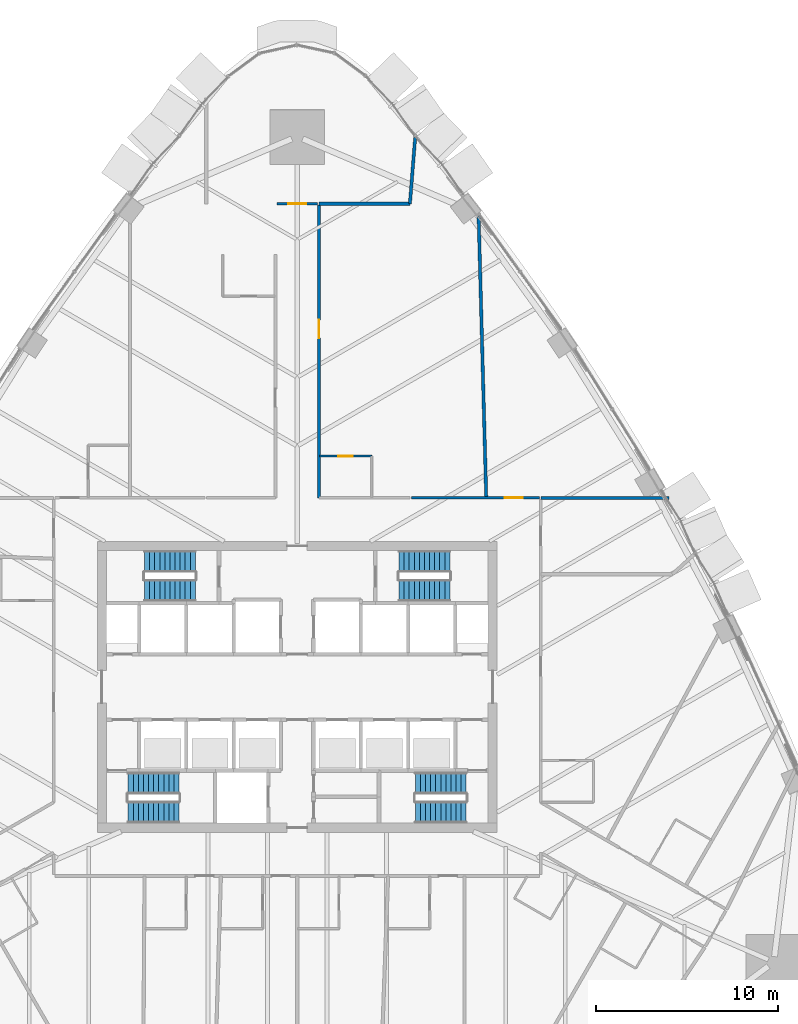
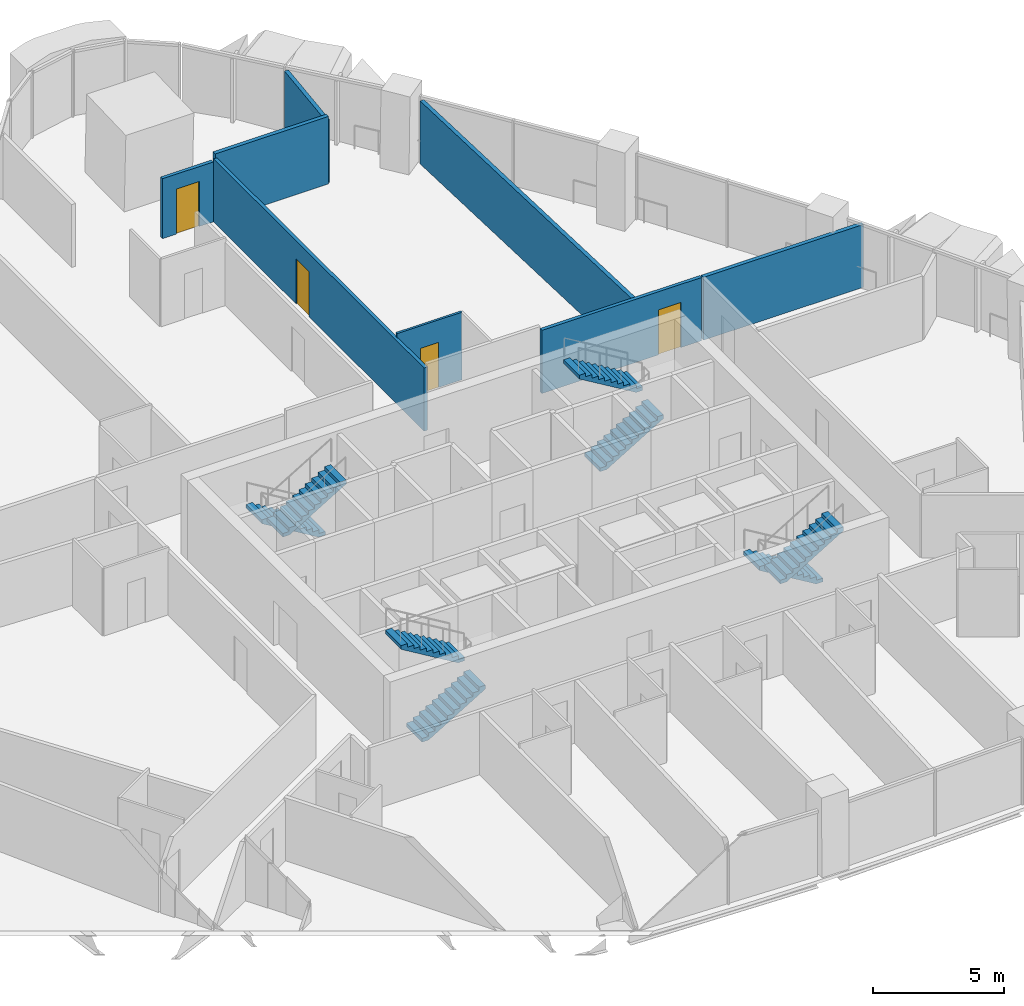
# One storey, part 14 of 18: 8 stair flights, 8 walls, 4 doors, 4 openings, 4 elements without a shape of their own.
"""IFC4 building model written with IfcOpenShell, lengths in metres."""

from ifc_helpers import new_model, si_unit, direction, frame, frame_2d, origin, place, context, subcontext, project, spatial, polyline, rectangle, outline, extrude, material, layer, layer_set, type_object, element, fill, aggregate, save


model = new_model("IFC4")

# Units and contexts
model_context = context("Model", 3, precision=1e-05, world=origin(), true_north=direction((0.0, 1.0)))
body_context = subcontext(model_context, "Body", "Model", "MODEL_VIEW")
ifc_project = project(units=[si_unit("LENGTHUNIT", "METRE"), si_unit("AREAUNIT", "SQUARE_METRE"), si_unit("VOLUMEUNIT", "CUBIC_METRE"), si_unit("PLANEANGLEUNIT", "RADIAN"), si_unit("MASSUNIT", "GRAM", prefix="KILO")], contexts=[model_context])

# Site, building, storey
site_placement = place(None, origin())
site = spatial("IfcSite", under=ifc_project, at=site_placement, CompositionType="ELEMENT")
building_placement = place(site_placement, origin())
building = spatial("IfcBuilding", under=site, at=building_placement, Name="Sierra Prisma Convention Tower", CompositionType="ELEMENT")
storey_placement = place(building_placement, frame((0.0, 0.0, 81.300048828125)))
storey = spatial("IfcBuildingStorey", under=building, at=storey_placement, Name="L16", CompositionType="ELEMENT", Elevation=81.300048828125)

# Wall, opening, door
ifc_material_1 = material(Name="Gypsum board partition", Category="gypsum")
ifc_layer_1 = layer(ifc_material_1, 0.10009765625)
ifc_layer_set_1 = layer_set([ifc_layer_1], Name="Bathroom partition 100")
wall_type_1 = type_object("IfcWallType", Name="Bathroom partition 100", PredefinedType="PARTITIONING", material=ifc_layer_set_1)
wall_1_placement = place(storey_placement, frame((1.22998046875, 12.699951171875, 0.0), z_axis=(0.0, 0.0, 1.0), x_axis=(1.0, 0.0, 0.0)))
wall_1 = element("IfcWall", 1, at=wall_1_placement, inside=storey, type_object=wall_type_1, Name="Partition L16 bath 19", PredefinedType="PARTITIONING", context=body_context, shape_type="SweptSolid", body=[
    extrude(rectangle(XDim=2.8701171875, YDim=0.10009765625, at=frame_2d((1.43505859375, 0.0))), origin(), (0.0, 0.0, 1.0), 3.14990234375),
])
opening_1_placement = place(wall_1_placement, frame((1.034912109375, 0.0, 0.0)))
opening_1 = element("IfcOpeningElement", 2, at=opening_1_placement, cuts=wall_1, Name="Opening L16-D002", PredefinedType="OPENING", context=body_context, shape_type="SweptSolid", body=[
    extrude(rectangle(XDim=0.800048828125, YDim=2.10009765625, at=frame_2d((0.39990234375, 1.050048828125))), frame((0.0, 0.050048828125, 0.0), z_axis=(0.0, -1.0, 0.0), x_axis=(1.0, 0.0, 0.0)), (0.0, 0.0, 1.0), 0.10009765625),
])
ifc_material_2 = material(Name="Solid core timber door leaf", Category="wood")
door_type_1 = type_object("IfcDoorType", Name="Door 800x2100 plain", OperationType="SINGLE_SWING_LEFT", PredefinedType="DOOR", material=ifc_material_2)
door_1_placement = place(opening_1_placement, origin())
door_1 = element("IfcDoor", 3, at=door_1_placement, inside=storey, type_object=door_type_1, Name="Door L16 6", OperationType="SINGLE_SWING_LEFT", OverallHeight=2.10009765625, OverallWidth=0.800048828125, PredefinedType="DOOR", context=body_context, shape_type="SweptSolid", body=[
    extrude(rectangle(XDim=0.800048828125, YDim=2.10009765625, at=frame_2d((0.39990234375, 1.050048828125))), frame((0.0, 0.02490234375, 0.0), z_axis=(0.0, -1.0, 0.0), x_axis=(1.0, 0.0, 0.0)), (0.0, 0.0, 1.0), 0.050048828125),
])
fill(opening_1, door_1)

ifc_material_3 = material(Name="Gypsum board partition", Category="gypsum")
ifc_layer_2 = layer(ifc_material_3, 0.14990234375)
ifc_layer_set_2 = layer_set([ifc_layer_2], Name="Corridor wall 150 gypsum EI 60")
wall_type_2 = type_object("IfcWallType", Name="Corridor wall 150 gypsum EI 60", PredefinedType="PARTITIONING", material=ifc_layer_set_2)
wall_2_placement = place(storey_placement, frame((1.1201171875, 26.58056640625, 0.0), z_axis=(0.0, 0.0, 1.0), x_axis=(-1.0, 0.0, 0.0)))
wall_2 = element("IfcWall", 4, at=wall_2_placement, inside=storey, type_object=wall_type_2, Name="Partition L16 corr 10", PredefinedType="PARTITIONING", context=body_context, shape_type="SweptSolid", body=[
    extrude(rectangle(XDim=2.240234375, YDim=0.14990234375, at=frame_2d((1.1201171875, 0.0))), origin(), (0.0, 0.0, 1.0), 2.796875),
])
opening_2_placement = place(wall_2_placement, frame((0.6201171875, 0.0, 0.0)))
opening_2 = element("IfcOpeningElement", 5, at=opening_2_placement, cuts=wall_2, Name="Opening L16-D041", PredefinedType="OPENING", context=body_context, shape_type="SweptSolid", body=[
    extrude(rectangle(XDim=1.0, YDim=2.10009765625, at=frame_2d((0.5, 1.050048828125))), frame((0.0, 0.074951171875, 0.0), z_axis=(0.0, -1.0, 0.0), x_axis=(1.0, 0.0, 0.0)), (0.0, 0.0, 1.0), 0.14990234375),
])
ifc_material_4 = material(Name="Steel fire door leaf", Category="steel")
door_type_2 = type_object("IfcDoorType", Name="Door 1000x2100 FD30S", OperationType="SINGLE_SWING_LEFT", PredefinedType="DOOR", material=ifc_material_4)
door_2_placement = place(opening_2_placement, origin())
door_2 = element("IfcDoor", 6, at=door_2_placement, inside=storey, type_object=door_type_2, Name="Door L16 7", OperationType="SINGLE_SWING_LEFT", OverallHeight=2.10009765625, OverallWidth=1.0, PredefinedType="DOOR", context=body_context, shape_type="SweptSolid", body=[
    extrude(rectangle(XDim=1.0, YDim=2.10009765625, at=frame_2d((0.5, 1.050048828125))), frame((0.0, 0.02490234375, 0.0), z_axis=(0.0, -1.0, 0.0), x_axis=(1.0, 0.0, 0.0)), (0.0, 0.0, 1.0), 0.050048828125),
])
fill(opening_2, door_2)

wall_3_placement = place(storey_placement, frame((1.199951171875, 10.39990234375, 0.0), z_axis=(0.0, 0.0, 1.0), x_axis=(0.0, 1.0, 0.0)))
wall_3 = element("IfcWall", 7, at=wall_3_placement, inside=storey, type_object=wall_type_2, Name="Partition L16 corr 12", PredefinedType="PARTITIONING", context=body_context, shape_type="SweptSolid", body=[
    extrude(rectangle(XDim=16.1005859375, YDim=0.14990234375, at=frame_2d((8.05029296875, 0.0))), origin(), (0.0, 0.0, 1.0), 2.947021484375),
])
opening_3_placement = place(wall_3_placement, frame((8.790283203125, 0.0, 0.0)))
opening_3 = element("IfcOpeningElement", 8, at=opening_3_placement, cuts=wall_3, Name="Opening L16-D040", PredefinedType="OPENING", context=body_context, shape_type="SweptSolid", body=[
    extrude(rectangle(XDim=1.0, YDim=2.10009765625, at=frame_2d((0.5, 1.050048828125))), frame((0.0, 0.074951171875, 0.0), z_axis=(0.0, -1.0, 0.0), x_axis=(1.0, 0.0, 0.0)), (0.0, 0.0, 1.0), 0.14990234375),
])
door_3_placement = place(opening_3_placement, origin())
door_3 = element("IfcDoor", 9, at=door_3_placement, inside=storey, type_object=door_type_2, Name="Door L16 5", OperationType="SINGLE_SWING_RIGHT", OverallHeight=2.10009765625, OverallWidth=1.0, PredefinedType="DOOR", context=body_context, shape_type="SweptSolid", body=[
    extrude(rectangle(XDim=1.0, YDim=2.10009765625, at=frame_2d((0.5, 1.050048828125))), frame((0.0, 0.02490234375, 0.0), z_axis=(0.0, -1.0, 0.0), x_axis=(1.0, 0.0, 0.0)), (0.0, 0.0, 1.0), 0.050048828125),
])
fill(opening_3, door_3)

wall_4_placement = place(storey_placement, frame((13.320068359375, 10.39990234375, 0.0), z_axis=(0.0, 0.0, 1.0), x_axis=(-1.0, 0.0, 0.0)))
wall_4 = element("IfcWall", 10, at=wall_4_placement, inside=storey, type_object=wall_type_2, Name="Partition L16 corr 13", PredefinedType="PARTITIONING", context=body_context, shape_type="SweptSolid", body=[
    extrude(rectangle(XDim=7.0400390625, YDim=0.14990234375, at=frame_2d((3.52001953125, 0.0))), origin(), (0.0, 0.0, 1.0), 2.947021484375),
])
opening_4_placement = place(wall_4_placement, frame((0.909912109375, 0.0, 0.0)))
opening_4 = element("IfcOpeningElement", 11, at=opening_4_placement, cuts=wall_4, Name="Opening L16-D039", PredefinedType="OPENING", context=body_context, shape_type="SweptSolid", body=[
    extrude(rectangle(XDim=1.0, YDim=2.10009765625, at=frame_2d((0.5, 1.050048828125))), frame((0.0, 0.074951171875, 0.0), z_axis=(0.0, -1.0, 0.0), x_axis=(1.0, 0.0, 0.0)), (0.0, 0.0, 1.0), 0.14990234375),
])
door_4_placement = place(opening_4_placement, origin())
door_4 = element("IfcDoor", 12, at=door_4_placement, inside=storey, type_object=door_type_2, Name="Door L16 4", OperationType="SINGLE_SWING_LEFT", OverallHeight=2.10009765625, OverallWidth=1.0, PredefinedType="DOOR", context=body_context, shape_type="SweptSolid", body=[
    extrude(rectangle(XDim=1.0, YDim=2.10009765625, at=frame_2d((0.5, 1.050048828125))), frame((0.0, 0.02490234375, 0.0), z_axis=(0.0, -1.0, 0.0), x_axis=(1.0, 0.0, 0.0)), (0.0, 0.0, 1.0), 0.050048828125),
])
fill(opening_4, door_4)

# Walls
ifc_material_5 = material(Name="Acoustic gypsum board partition", Category="gypsum")
ifc_layer_3 = layer(ifc_material_5, 0.175048828125)
ifc_layer_set_3 = layer_set([ifc_layer_3], Name="Guest room party wall 175 acoustic EI 60")
wall_type_3 = type_object("IfcWallType", Name="Guest room party wall 175 acoustic EI 60", PredefinedType="PARTITIONING", material=ifc_layer_set_3)
wall_5_placement = place(storey_placement, frame((1.199951171875, 26.58056640625, 0.0), z_axis=(0.0, 0.0, 1.0), x_axis=(1.0, 0.0, 0.0)))
element("IfcWall", 13, at=wall_5_placement, inside=storey, type_object=wall_type_3, Name="Partition L16 hparty 13", PredefinedType="PARTITIONING", context=body_context, shape_type="SweptSolid", body=[
    extrude(rectangle(XDim=5.0, YDim=0.175048828125, at=frame_2d((2.5, 0.0))), origin(), (0.0, 0.0, 1.0), 3.14990234375),
])
wall_6_placement = place(storey_placement, frame((6.199951171875, 26.58056640625, 0.0), z_axis=(0.0, 0.0, 1.0), x_axis=(0.079662809164, 0.996821868157, 0.0)))
element("IfcWall", 14, at=wall_6_placement, inside=storey, type_object=wall_type_3, Name="Partition L16 hparty 14", PredefinedType="PARTITIONING", context=body_context, shape_type="SweptSolid", body=[
    extrude(rectangle(XDim=3.650146484375, YDim=0.175048828125, at=frame_2d((1.8251953125, 0.0))), origin(), (0.0, 0.0, 1.0), 2.933837890625),
])
wall_7_placement = place(storey_placement, frame((9.9814453125, 25.9130859375, 0.0), z_axis=(0.0, 0.0, 1.0), x_axis=(0.02696447667, -0.999636392394, 0.0)))
element("IfcWall", 15, at=wall_7_placement, inside=storey, type_object=wall_type_3, Name="Partition L16 hparty 17", PredefinedType="PARTITIONING", context=body_context, shape_type="SweptSolid", body=[
    extrude(rectangle(XDim=15.518798828125, YDim=0.175048828125, at=frame_2d((7.75927734375, 0.0))), origin(), (0.0, 0.0, 1.0), 2.933837890625),
])
wall_8_placement = place(storey_placement, frame((13.39990234375, 10.39990234375, 0.0), z_axis=(0.0, 0.0, 1.0), x_axis=(1.0, 0.0, 0.0)))
element("IfcWall", 16, at=wall_8_placement, inside=storey, type_object=wall_type_3, Name="Partition L16 hparty 22", PredefinedType="PARTITIONING", context=body_context, shape_type="SweptSolid", body=[
    extrude(rectangle(XDim=7.0546875, YDim=0.175048828125, at=frame_2d((3.52734375, 0.0))), origin(), (0.0, 0.0, 1.0), 2.933837890625),
])

# Stair, stair flights
ifc_material_6 = material(Name="Concrete C30/37", Category="concrete")
stair_type = type_object("IfcStairType", Name="Stair dog-leg 1200 RC", PredefinedType="HALF_TURN_STAIR", material=ifc_material_6)
stair_1_placement = place(storey_placement, origin())
stair_1 = element("IfcStair", 17, at=stair_1_placement, inside=storey, type_object=stair_type, Name="L16 S1", PredefinedType="HALF_TURN_STAIR")
ifc_material_7 = material(Name="Concrete C30/37", Category="concrete")
stair_flight_type = type_object("IfcStairFlightType", Name="Stair flight RC 1200", PredefinedType="STRAIGHT", material=ifc_material_7)
stair_flight_1_placement = place(storey_placement, frame((-9.300048828125, -6.89990234375, 0.0), z_axis=(0.0, 0.0, 1.0), x_axis=(1.0, 0.0, 0.0)))
stair_flight_1 = element("IfcStairFlight", 18, at=stair_flight_1_placement, type_object=stair_flight_type, Name="S1 flight 1", NumberOfRisers=11, NumberOfTreads=10, PredefinedType="STRAIGHT", RiserHeight=0.168181818, TreadLength=0.28, context=body_context, shape_type="SweptSolid", body=[
    extrude(outline(polyline([(0.0, 0.0), (0.0, 0.168212890625), (0.280029296875, 0.168212890625), (0.280029296875, 0.33642578125), (0.56005859375, 0.33642578125), (0.56005859375, 0.504638671875), (0.840087890625, 0.504638671875), (0.840087890625, 0.672607421875), (1.1201171875, 0.672607421875), (1.1201171875, 0.8408203125), (1.39990234375, 0.8408203125), (1.39990234375, 1.009033203125), (1.679931640625, 1.009033203125), (1.679931640625, 1.17724609375), (1.9599609375, 1.17724609375), (1.9599609375, 1.345458984375), (2.239990234375, 1.345458984375), (2.239990234375, 1.513671875), (2.52001953125, 1.513671875), (2.52001953125, 1.681884765625), (2.800048828125, 1.681884765625), (2.800048828125, 1.85009765625), (2.800048828125, 1.5068359375), (0.291015625, 0.0), (0.0, 0.0)])), frame((0.0, 0.60009765625, 0.0), z_axis=(0.0, -1.0, 0.0), x_axis=(1.0, 0.0, 0.0)), (0.0, 0.0, 1.0), 1.199951171875),
])
stair_flight_2_placement = place(storey_placement, frame((-6.5, -5.300048828125, 1.849853515625), z_axis=(0.0, 0.0, 1.0), x_axis=(-1.0, 0.0, 0.0)))
stair_flight_2 = element("IfcStairFlight", 19, at=stair_flight_2_placement, type_object=stair_flight_type, Name="S1 flight 2", NumberOfRisers=11, NumberOfTreads=10, PredefinedType="STRAIGHT", RiserHeight=0.168181818, TreadLength=0.28, context=body_context, shape_type="SweptSolid", body=[
    extrude(outline(polyline([(0.0, 0.0), (0.0, 0.168212890625), (0.280029296875, 0.168212890625), (0.280029296875, 0.33642578125), (0.56005859375, 0.33642578125), (0.56005859375, 0.504638671875), (0.840087890625, 0.504638671875), (0.840087890625, 0.672607421875), (1.1201171875, 0.672607421875), (1.1201171875, 0.8408203125), (1.39990234375, 0.8408203125), (1.39990234375, 1.009033203125), (1.679931640625, 1.009033203125), (1.679931640625, 1.17724609375), (1.9599609375, 1.17724609375), (1.9599609375, 1.345458984375), (2.239990234375, 1.345458984375), (2.239990234375, 1.513671875), (2.52001953125, 1.513671875), (2.52001953125, 1.681884765625), (2.800048828125, 1.681884765625), (2.800048828125, 1.85009765625), (2.800048828125, 1.5068359375), (0.291015625, 0.0), (0.0, 0.0)])), frame((0.0, 0.60009765625, 0.0), z_axis=(0.0, -1.0, 0.0), x_axis=(1.0, 0.0, 0.0)), (0.0, 0.0, 1.0), 1.199951171875),
])
aggregate(stair_1, [stair_flight_1, stair_flight_2])

stair_2_placement = place(storey_placement, origin())
stair_2 = element("IfcStair", 20, at=stair_2_placement, inside=storey, type_object=stair_type, Name="L16 S2", PredefinedType="HALF_TURN_STAIR")
stair_flight_3_placement = place(storey_placement, frame((9.300048828125, -5.300048828125, 0.0), z_axis=(0.0, 0.0, 1.0), x_axis=(-1.0, 0.0, 0.0)))
stair_flight_3 = element("IfcStairFlight", 21, at=stair_flight_3_placement, type_object=stair_flight_type, Name="S2 flight 1", NumberOfRisers=11, NumberOfTreads=10, PredefinedType="STRAIGHT", RiserHeight=0.168181818, TreadLength=0.28, context=body_context, shape_type="SweptSolid", body=[
    extrude(outline(polyline([(0.0, 0.0), (0.0, 0.168212890625), (0.280029296875, 0.168212890625), (0.280029296875, 0.33642578125), (0.56005859375, 0.33642578125), (0.56005859375, 0.504638671875), (0.840087890625, 0.504638671875), (0.840087890625, 0.672607421875), (1.1201171875, 0.672607421875), (1.1201171875, 0.8408203125), (1.39990234375, 0.8408203125), (1.39990234375, 1.009033203125), (1.679931640625, 1.009033203125), (1.679931640625, 1.17724609375), (1.9599609375, 1.17724609375), (1.9599609375, 1.345458984375), (2.239990234375, 1.345458984375), (2.239990234375, 1.513671875), (2.52001953125, 1.513671875), (2.52001953125, 1.681884765625), (2.800048828125, 1.681884765625), (2.800048828125, 1.85009765625), (2.800048828125, 1.5068359375), (0.291015625, 0.0), (0.0, 0.0)])), frame((0.0, 0.60009765625, 0.0), z_axis=(0.0, -1.0, 0.0), x_axis=(1.0, 0.0, 0.0)), (0.0, 0.0, 1.0), 1.199951171875),
])
stair_flight_4_placement = place(storey_placement, frame((6.5, -6.89990234375, 1.849853515625), z_axis=(0.0, 0.0, 1.0), x_axis=(1.0, 0.0, 0.0)))
stair_flight_4 = element("IfcStairFlight", 22, at=stair_flight_4_placement, type_object=stair_flight_type, Name="S2 flight 2", NumberOfRisers=11, NumberOfTreads=10, PredefinedType="STRAIGHT", RiserHeight=0.168181818, TreadLength=0.28, context=body_context, shape_type="SweptSolid", body=[
    extrude(outline(polyline([(0.0, 0.0), (0.0, 0.168212890625), (0.280029296875, 0.168212890625), (0.280029296875, 0.33642578125), (0.56005859375, 0.33642578125), (0.56005859375, 0.504638671875), (0.840087890625, 0.504638671875), (0.840087890625, 0.672607421875), (1.1201171875, 0.672607421875), (1.1201171875, 0.8408203125), (1.39990234375, 0.8408203125), (1.39990234375, 1.009033203125), (1.679931640625, 1.009033203125), (1.679931640625, 1.17724609375), (1.9599609375, 1.17724609375), (1.9599609375, 1.345458984375), (2.239990234375, 1.345458984375), (2.239990234375, 1.513671875), (2.52001953125, 1.513671875), (2.52001953125, 1.681884765625), (2.800048828125, 1.681884765625), (2.800048828125, 1.85009765625), (2.800048828125, 1.5068359375), (0.291015625, 0.0), (0.0, 0.0)])), frame((0.0, 0.60009765625, 0.0), z_axis=(0.0, -1.0, 0.0), x_axis=(1.0, 0.0, 0.0)), (0.0, 0.0, 1.0), 1.199951171875),
])
aggregate(stair_2, [stair_flight_3, stair_flight_4])

stair_3_placement = place(storey_placement, origin())
stair_3 = element("IfcStair", 23, at=stair_3_placement, inside=storey, type_object=stair_type, Name="L16 S3", PredefinedType="HALF_TURN_STAIR")
stair_flight_5_placement = place(storey_placement, frame((-5.60009765625, 6.89990234375, 0.0), z_axis=(0.0, 0.0, 1.0), x_axis=(-1.0, 0.0, 0.0)))
stair_flight_5 = element("IfcStairFlight", 24, at=stair_flight_5_placement, type_object=stair_flight_type, Name="S3 flight 1", NumberOfRisers=11, NumberOfTreads=10, PredefinedType="STRAIGHT", RiserHeight=0.168181818, TreadLength=0.28, context=body_context, shape_type="SweptSolid", body=[
    extrude(outline(polyline([(0.0, 0.0), (0.0, 0.168212890625), (0.280029296875, 0.168212890625), (0.280029296875, 0.33642578125), (0.56005859375, 0.33642578125), (0.56005859375, 0.504638671875), (0.840087890625, 0.504638671875), (0.840087890625, 0.672607421875), (1.1201171875, 0.672607421875), (1.1201171875, 0.8408203125), (1.39990234375, 0.8408203125), (1.39990234375, 1.009033203125), (1.679931640625, 1.009033203125), (1.679931640625, 1.17724609375), (1.9599609375, 1.17724609375), (1.9599609375, 1.345458984375), (2.239990234375, 1.345458984375), (2.239990234375, 1.513671875), (2.52001953125, 1.513671875), (2.52001953125, 1.681884765625), (2.800048828125, 1.681884765625), (2.800048828125, 1.85009765625), (2.800048828125, 1.5068359375), (0.291015625, 0.0), (0.0, 0.0)])), frame((0.0, 0.60009765625, 0.0), z_axis=(0.0, -1.0, 0.0), x_axis=(1.0, 0.0, 0.0)), (0.0, 0.0, 1.0), 1.199951171875),
])
stair_flight_6_placement = place(storey_placement, frame((-8.39990234375, 5.300048828125, 1.849853515625), z_axis=(0.0, 0.0, 1.0), x_axis=(1.0, 0.0, 0.0)))
stair_flight_6 = element("IfcStairFlight", 25, at=stair_flight_6_placement, type_object=stair_flight_type, Name="S3 flight 2", NumberOfRisers=11, NumberOfTreads=10, PredefinedType="STRAIGHT", RiserHeight=0.168181818, TreadLength=0.28, context=body_context, shape_type="SweptSolid", body=[
    extrude(outline(polyline([(0.0, 0.0), (0.0, 0.168212890625), (0.280029296875, 0.168212890625), (0.280029296875, 0.33642578125), (0.56005859375, 0.33642578125), (0.56005859375, 0.504638671875), (0.840087890625, 0.504638671875), (0.840087890625, 0.672607421875), (1.1201171875, 0.672607421875), (1.1201171875, 0.8408203125), (1.39990234375, 0.8408203125), (1.39990234375, 1.009033203125), (1.679931640625, 1.009033203125), (1.679931640625, 1.17724609375), (1.9599609375, 1.17724609375), (1.9599609375, 1.345458984375), (2.239990234375, 1.345458984375), (2.239990234375, 1.513671875), (2.52001953125, 1.513671875), (2.52001953125, 1.681884765625), (2.800048828125, 1.681884765625), (2.800048828125, 1.85009765625), (2.800048828125, 1.5068359375), (0.291015625, 0.0), (0.0, 0.0)])), frame((0.0, 0.60009765625, 0.0), z_axis=(0.0, -1.0, 0.0), x_axis=(1.0, 0.0, 0.0)), (0.0, 0.0, 1.0), 1.199951171875),
])
aggregate(stair_3, [stair_flight_5, stair_flight_6])

stair_4_placement = place(storey_placement, origin())
stair_4 = element("IfcStair", 26, at=stair_4_placement, inside=storey, type_object=stair_type, Name="L16 S4", PredefinedType="HALF_TURN_STAIR")
stair_flight_7_placement = place(storey_placement, frame((5.60009765625, 5.300048828125, 0.0), z_axis=(0.0, 0.0, 1.0), x_axis=(1.0, 0.0, 0.0)))
stair_flight_7 = element("IfcStairFlight", 27, at=stair_flight_7_placement, type_object=stair_flight_type, Name="S4 flight 1", NumberOfRisers=11, NumberOfTreads=10, PredefinedType="STRAIGHT", RiserHeight=0.168181818, TreadLength=0.28, context=body_context, shape_type="SweptSolid", body=[
    extrude(outline(polyline([(0.0, 0.0), (0.0, 0.168212890625), (0.280029296875, 0.168212890625), (0.280029296875, 0.33642578125), (0.56005859375, 0.33642578125), (0.56005859375, 0.504638671875), (0.840087890625, 0.504638671875), (0.840087890625, 0.672607421875), (1.1201171875, 0.672607421875), (1.1201171875, 0.8408203125), (1.39990234375, 0.8408203125), (1.39990234375, 1.009033203125), (1.679931640625, 1.009033203125), (1.679931640625, 1.17724609375), (1.9599609375, 1.17724609375), (1.9599609375, 1.345458984375), (2.239990234375, 1.345458984375), (2.239990234375, 1.513671875), (2.52001953125, 1.513671875), (2.52001953125, 1.681884765625), (2.800048828125, 1.681884765625), (2.800048828125, 1.85009765625), (2.800048828125, 1.5068359375), (0.291015625, 0.0), (0.0, 0.0)])), frame((0.0, 0.60009765625, 0.0), z_axis=(0.0, -1.0, 0.0), x_axis=(1.0, 0.0, 0.0)), (0.0, 0.0, 1.0), 1.199951171875),
])
stair_flight_8_placement = place(storey_placement, frame((8.39990234375, 6.89990234375, 1.849853515625), z_axis=(0.0, 0.0, 1.0), x_axis=(-1.0, 0.0, 0.0)))
stair_flight_8 = element("IfcStairFlight", 28, at=stair_flight_8_placement, type_object=stair_flight_type, Name="S4 flight 2", NumberOfRisers=11, NumberOfTreads=10, PredefinedType="STRAIGHT", RiserHeight=0.168181818, TreadLength=0.28, context=body_context, shape_type="SweptSolid", body=[
    extrude(outline(polyline([(0.0, 0.0), (0.0, 0.168212890625), (0.280029296875, 0.168212890625), (0.280029296875, 0.33642578125), (0.56005859375, 0.33642578125), (0.56005859375, 0.504638671875), (0.840087890625, 0.504638671875), (0.840087890625, 0.672607421875), (1.1201171875, 0.672607421875), (1.1201171875, 0.8408203125), (1.39990234375, 0.8408203125), (1.39990234375, 1.009033203125), (1.679931640625, 1.009033203125), (1.679931640625, 1.17724609375), (1.9599609375, 1.17724609375), (1.9599609375, 1.345458984375), (2.239990234375, 1.345458984375), (2.239990234375, 1.513671875), (2.52001953125, 1.513671875), (2.52001953125, 1.681884765625), (2.800048828125, 1.681884765625), (2.800048828125, 1.85009765625), (2.800048828125, 1.5068359375), (0.291015625, 0.0), (0.0, 0.0)])), frame((0.0, 0.60009765625, 0.0), z_axis=(0.0, -1.0, 0.0), x_axis=(1.0, 0.0, 0.0)), (0.0, 0.0, 1.0), 1.199951171875),
])
aggregate(stair_4, [stair_flight_7, stair_flight_8])

save(model, "model.ifc")
